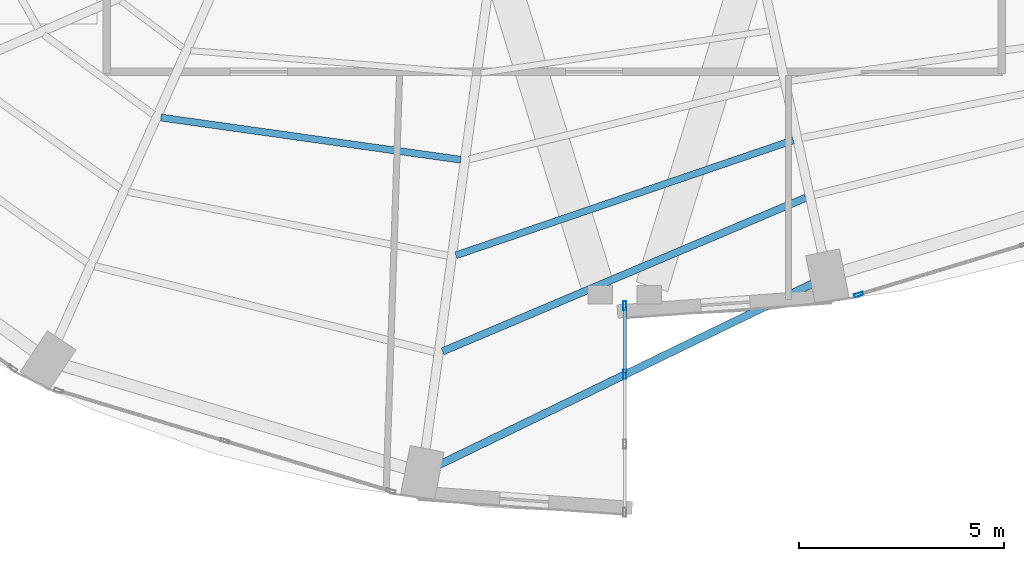
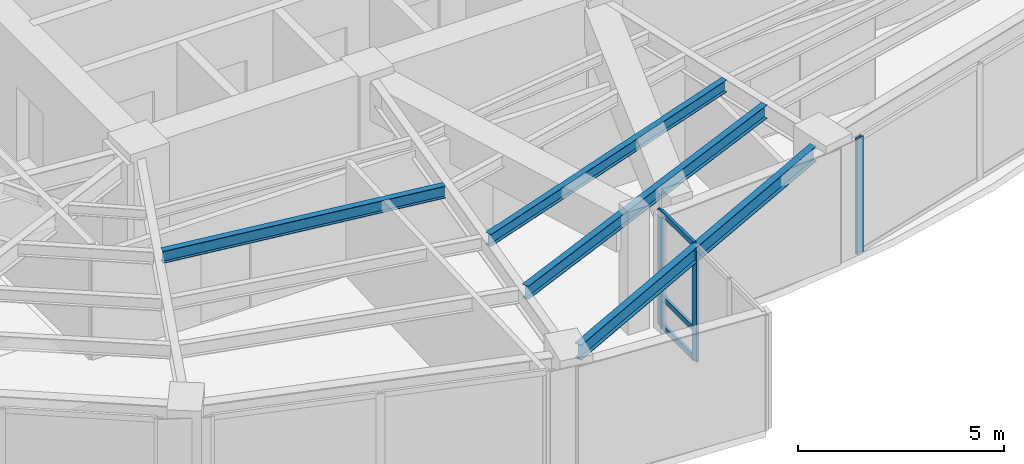
# One storey, part 6 of 24: 6 members, 4 beams, 2 elements without a shape of their own.
"""IFC4 building model written with IfcOpenShell, lengths in metres."""

from ifc_helpers import new_model, si_unit, direction, frame, origin, origin_2d, place, context, subcontext, project, spatial, hollow_rectangle, i_section, extrude, material, layer, layer_set, material_profile, profile_set, type_object, element, aggregate, save


model = new_model("IFC4")

# Units and contexts
model_context = context("Model", 3, precision=1e-05, world=origin(), true_north=direction((0.0, 1.0)))
body_context = subcontext(model_context, "Body", "Model", "MODEL_VIEW")
ifc_project = project(units=[si_unit("LENGTHUNIT", "METRE"), si_unit("AREAUNIT", "SQUARE_METRE"), si_unit("VOLUMEUNIT", "CUBIC_METRE"), si_unit("PLANEANGLEUNIT", "RADIAN"), si_unit("MASSUNIT", "GRAM", prefix="KILO")], contexts=[model_context])

# Site, building, storey
site_placement = place(None, origin())
site = spatial("IfcSite", under=ifc_project, at=site_placement, CompositionType="ELEMENT")
building_placement = place(site_placement, origin())
building = spatial("IfcBuilding", under=site, at=building_placement, Name="Lazwardi Medical Tower", CompositionType="ELEMENT")
storey_placement = place(building_placement, frame((0.0, 0.0, 103.632080078125)))
storey = spatial("IfcBuildingStorey", under=building, at=storey_placement, Name="L26", CompositionType="ELEMENT", Elevation=103.632080078125)

# Beams
ifc_material_1 = material(Name="Steel S355", Category="steel")
ifc_material_profile_1 = material_profile(ifc_material_1, i_section(OverallWidth=0.179931640625, OverallDepth=0.39990234375, WebThickness=0.008544921875, FlangeThickness=0.013427734375, at=origin_2d()), Name="IPE 400")
ifc_profile_set_1 = profile_set([ifc_material_profile_1], Name="Steel S355")
beam_type_1 = type_object("IfcBeamType", Name="BM-SJ-01", PredefinedType="JOIST", material=ifc_profile_set_1)
beam_1_placement = place(storey_placement, frame((31.550537109375, 10.571533203125, 3.22802734375), z_axis=(0.920947307957, 0.389687125739, 0.0), x_axis=(-0.389687125739, 0.920947307957, 0.0)))
element("IfcBeam", 1, at=beam_1_placement, inside=storey, type_object=beam_type_1, Name="Secondary joist SJ-01 R1 B16 L26", PredefinedType="JOIST", context=body_context, shape_type="SweptSolid", body=[
    extrude(i_section(OverallWidth=0.179931640625, OverallDepth=0.39990234375, WebThickness=0.008544921875, FlangeThickness=0.013427734375, at=origin_2d()), origin(), (0.0, 0.0, 1.0), 9.63134765625),
])
ifc_material_profile_2 = material_profile(ifc_material_1, i_section(OverallWidth=0.169921875, OverallDepth=0.360107421875, WebThickness=0.008056640625, FlangeThickness=0.0126953125, at=origin_2d()), Name="IPE 360")
ifc_profile_set_2 = profile_set([ifc_material_profile_2], Name="Steel S355")
beam_type_2 = type_object("IfcBeamType", Name="BM-SJ-02", PredefinedType="JOIST", material=ifc_profile_set_2)
beam_2_placement = place(storey_placement, frame((31.874267578125, 12.91796875, 3.247802734375), z_axis=(0.946467154368, 0.322800132749, 0.0), x_axis=(-0.322800132749, 0.946467154368, 0.0)))
element("IfcBeam", 2, at=beam_2_placement, inside=storey, type_object=beam_type_2, Name="Secondary joist SJ-02 R2 B16 L26", PredefinedType="JOIST", context=body_context, shape_type="SweptSolid", body=[
    extrude(i_section(OverallWidth=0.169921875, OverallDepth=0.360107421875, WebThickness=0.008056640625, FlangeThickness=0.0126953125, at=origin_2d()), origin(), (0.0, 0.0, 1.0), 8.70458984375),
])
beam_3_placement = place(storey_placement, frame((24.67431640625, 16.281005859375, 3.247802734375), z_axis=(0.990260920731, -0.139223952222, 0.0), x_axis=(0.139223952222, 0.990260920731, 0.0)))
element("IfcBeam", 3, at=beam_3_placement, inside=storey, type_object=beam_type_2, Name="Secondary joist SJ-02 R3 B15 L26", PredefinedType="JOIST", context=body_context, shape_type="SweptSolid", body=[
    extrude(i_section(OverallWidth=0.169921875, OverallDepth=0.360107421875, WebThickness=0.008056640625, FlangeThickness=0.0126953125, at=origin_2d()), origin(), (0.0, 0.0, 1.0), 7.3896484375),
])
ifc_material_profile_3 = material_profile(ifc_material_1, i_section(OverallWidth=0.18994140625, OverallDepth=0.449951171875, WebThickness=0.009521484375, FlangeThickness=0.0146484375, at=origin_2d()), Name="IPE 450")
ifc_profile_set_3 = profile_set([ifc_material_profile_3], Name="Steel S355")
beam_type_3 = type_object("IfcBeamType", Name="BM-SP-01", PredefinedType="SPANDREL", material=ifc_profile_set_3)
beam_4_placement = place(storey_placement, frame((31.42333984375, 7.781494140625, 3.202880859375), z_axis=(0.899653336227, 0.436604941125, 0.0), x_axis=(-0.436604941125, 0.899653336227, 0.0)))
element("IfcBeam", 4, at=beam_4_placement, inside=storey, type_object=beam_type_3, Name="Spandrel beam SP-01 B16 L26", PredefinedType="SPANDREL", context=body_context, shape_type="SweptSolid", body=[
    extrude(i_section(OverallWidth=0.18994140625, OverallDepth=0.449951171875, WebThickness=0.009521484375, FlangeThickness=0.0146484375, at=origin_2d()), origin(), (0.0, 0.0, 1.0), 10.17431640625),
])

# Curtain wall, member
ifc_material_2 = material(Name="Anodised bronze aluminium and solar control glazing", Category="aluminium")
ifc_layer_1 = layer(ifc_material_2, 0.195068359375)
ifc_layer_set_1 = layer_set([ifc_layer_1], Name="Anodised bronze aluminium and solar control glazing")
curtain_wall_type_1 = type_object("IfcCurtainWallType", Name="CW-SYS-03", PredefinedType="NOTDEFINED", material=ifc_layer_set_1)
curtain_wall_1_placement = place(storey_placement, origin())
curtain_wall_1 = element("IfcCurtainWall", 5, at=curtain_wall_1_placement, inside=storey, type_object=curtain_wall_type_1, Name="L26 Unitised bronze curtain wall CW-03", PredefinedType="NOTDEFINED")
ifc_material_3 = material(Name="Anodised bronze aluminium", Category="aluminium")
ifc_material_profile_4 = material_profile(ifc_material_3, hollow_rectangle(XDim=0.074951171875, YDim=0.219970703125, WallThickness=0.00390625, at=origin_2d()), Name="ALU-MULLION 220x75x4")
ifc_profile_set_4 = profile_set([ifc_material_profile_4], Name="Anodised bronze aluminium")
member_type_1 = type_object("IfcMemberType", Name="CW-MUL-01", PredefinedType="MULLION", material=ifc_profile_set_4)
member_1_placement = place(storey_placement, frame((41.710205078125, 11.9599609375, 0.0), z_axis=(0.0, 0.0, 1.0), x_axis=(-0.28937381157, 0.957216170558, 0.0)))
member_1 = element("IfcMember", 6, at=member_1_placement, type_object=member_type_1, Name="CW-03 mullion 1", PredefinedType="MULLION", context=body_context, shape_type="SweptSolid", body=[
    extrude(hollow_rectangle(XDim=0.074951171875, YDim=0.219970703125, WallThickness=0.00390625, at=origin_2d()), origin(), (0.0, 0.0, 1.0), 3.427978515625),
])
aggregate(curtain_wall_1, [member_1])

# Curtain wall, members
ifc_layer_2 = layer(ifc_material_2, 0.2099609375)
ifc_layer_set_2 = layer_set([ifc_layer_2], Name="Anodised bronze aluminium and solar control glazing")
curtain_wall_type_2 = type_object("IfcCurtainWallType", Name="CW-SYS-06", PredefinedType="NOTDEFINED", material=ifc_layer_set_2)
curtain_wall_2_placement = place(storey_placement, origin())
curtain_wall_2 = element("IfcCurtainWall", 7, at=curtain_wall_2_placement, inside=storey, type_object=curtain_wall_type_2, Name="L26 Unitised bronze curtain wall CW-06", PredefinedType="NOTDEFINED")
member_2_placement = place(storey_placement, frame((36.0, 10.013427734375, 0.0), z_axis=(0.0, 0.0, 1.0), x_axis=(-1.0, 0.0, 0.0)))
member_2 = element("IfcMember", 8, at=member_2_placement, type_object=member_type_1, Name="CW-06 mullion 3", PredefinedType="MULLION", context=body_context, shape_type="SweptSolid", body=[
    extrude(hollow_rectangle(XDim=0.074951171875, YDim=0.219970703125, WallThickness=0.00390625, at=origin_2d()), origin(), (0.0, 0.0, 1.0), 3.427978515625),
])
member_3_placement = place(storey_placement, frame((36.0, 11.6826171875, 0.0), z_axis=(0.0, 0.0, 1.0), x_axis=(-1.0, 0.0, 0.0)))
member_3 = element("IfcMember", 9, at=member_3_placement, type_object=member_type_1, Name="CW-06 mullion 4", PredefinedType="MULLION", context=body_context, shape_type="SweptSolid", body=[
    extrude(hollow_rectangle(XDim=0.074951171875, YDim=0.219970703125, WallThickness=0.00390625, at=origin_2d()), origin(), (0.0, 0.0, 1.0), 3.427978515625),
])
ifc_material_profile_5 = material_profile(ifc_material_3, hollow_rectangle(XDim=0.074951171875, YDim=0.159912109375, WallThickness=0.00390625, at=origin_2d()), Name="ALU-TRANSOM 160x75x4")
ifc_profile_set_5 = profile_set([ifc_material_profile_5], Name="Anodised bronze aluminium")
member_type_2 = type_object("IfcMemberType", Name="CW-TRN-01", PredefinedType="USERDEFINED", material=ifc_profile_set_5)
member_4_placement = place(storey_placement, frame((36.0, 10.05078125, 0.037353515625), z_axis=(0.0, 1.0, 0.0), x_axis=(-1.0, 0.0, 0.0)))
member_4 = element("IfcMember", 10, at=member_4_placement, type_object=member_type_2, Name="CW-06 transom 3.1", ObjectType="TRANSOM", PredefinedType="USERDEFINED", context=body_context, shape_type="SweptSolid", body=[
    extrude(hollow_rectangle(XDim=0.074951171875, YDim=0.159912109375, WallThickness=0.00390625, at=origin_2d()), origin(), (0.0, 0.0, 1.0), 1.59423828125),
])
member_5_placement = place(storey_placement, frame((36.0, 10.05078125, 0.89990234375), z_axis=(0.0, 1.0, 0.0), x_axis=(-1.0, 0.0, 0.0)))
member_5 = element("IfcMember", 11, at=member_5_placement, type_object=member_type_2, Name="CW-06 transom 3.2", ObjectType="TRANSOM", PredefinedType="USERDEFINED", context=body_context, shape_type="SweptSolid", body=[
    extrude(hollow_rectangle(XDim=0.074951171875, YDim=0.159912109375, WallThickness=0.00390625, at=origin_2d()), origin(), (0.0, 0.0, 1.0), 1.59423828125),
])
member_6_placement = place(storey_placement, frame((36.0, 10.05078125, 3.390380859375), z_axis=(0.0, 1.0, 0.0), x_axis=(-1.0, 0.0, 0.0)))
member_6 = element("IfcMember", 12, at=member_6_placement, type_object=member_type_2, Name="CW-06 transom 3.3", ObjectType="TRANSOM", PredefinedType="USERDEFINED", context=body_context, shape_type="SweptSolid", body=[
    extrude(hollow_rectangle(XDim=0.074951171875, YDim=0.159912109375, WallThickness=0.00390625, at=origin_2d()), origin(), (0.0, 0.0, 1.0), 1.59423828125),
])
aggregate(curtain_wall_2, [member_2, member_3, member_4, member_5, member_6])

save(model, "model.ifc")
